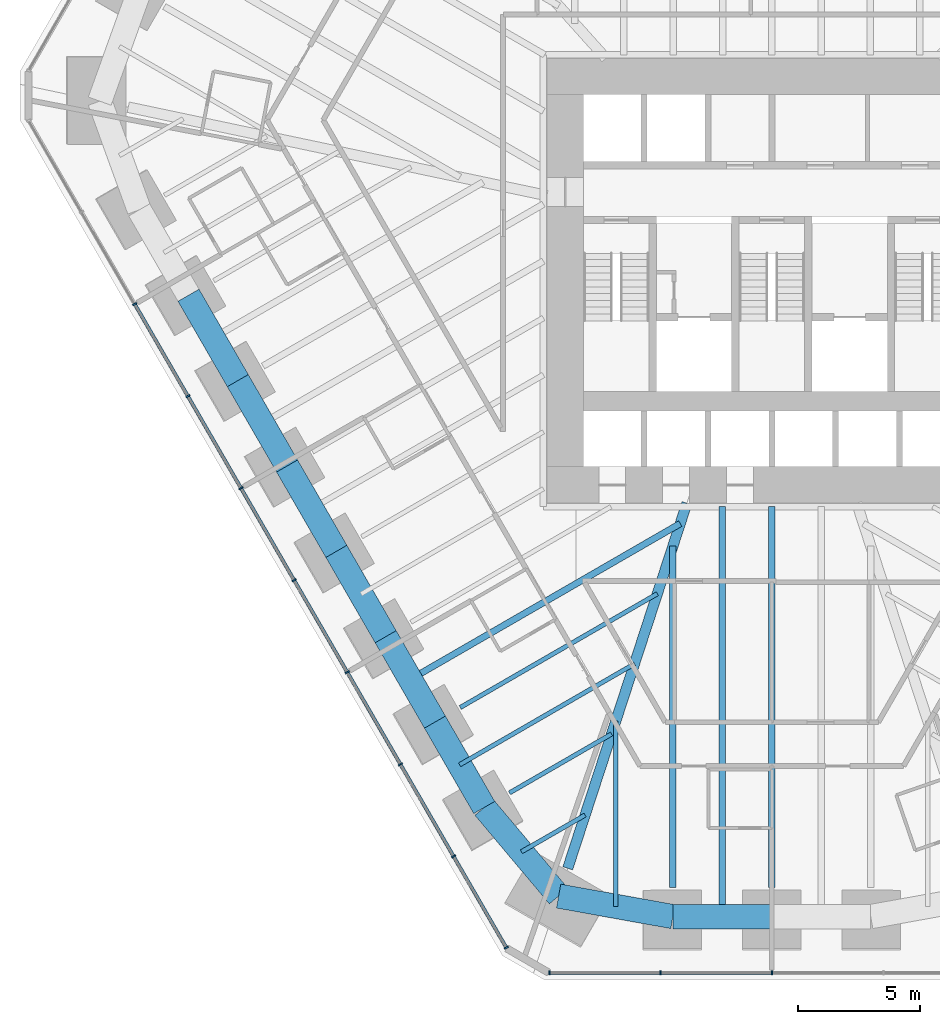
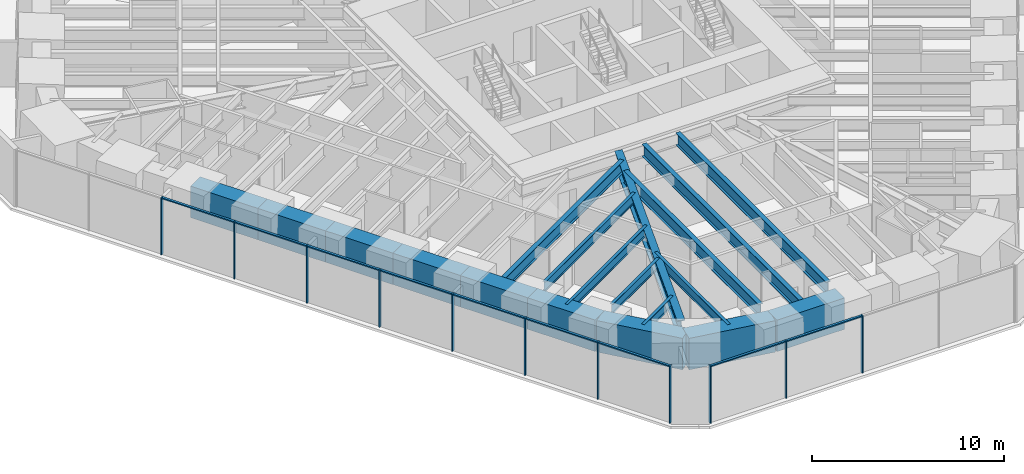
# One storey, part 2 of 17: 20 members, 19 beams, 2 elements without a shape of their own.
"""IFC4 building model written with IfcOpenShell, lengths in metres."""

from ifc_helpers import new_model, si_unit, direction, frame, origin, origin_2d, place, context, subcontext, project, spatial, rectangle, i_section, extrude, material, material_profile, profile_set, type_object, element, aggregate, save


model = new_model("IFC4")

# Units and contexts
model_context = context("Model", 3, precision=1e-05, world=origin(), true_north=direction((0.0, 1.0)))
body_context = subcontext(model_context, "Body", "Model", "MODEL_VIEW")
ifc_project = project(units=[si_unit("LENGTHUNIT", "METRE"), si_unit("AREAUNIT", "SQUARE_METRE"), si_unit("VOLUMEUNIT", "CUBIC_METRE"), si_unit("PLANEANGLEUNIT", "RADIAN"), si_unit("MASSUNIT", "GRAM", prefix="KILO")], contexts=[model_context])

# Site, building, storey
site_placement = place(None, origin())
site = spatial("IfcSite", under=ifc_project, at=site_placement, CompositionType="ELEMENT")
building_placement = place(site_placement, origin())
building = spatial("IfcBuilding", under=site, at=building_placement, Name="Sandreach Pilgrim Tower", CompositionType="ELEMENT")
storey_placement = place(building_placement, frame((0.0, 0.0, 76.199951171875)))
storey = spatial("IfcBuildingStorey", under=building, at=storey_placement, Name="L18", CompositionType="ELEMENT", Elevation=76.199951171875)

# Curtain wall, members
ifc_material_1 = material(Name="Aluminium framed curtain wall", Category="aluminium")
curtain_wall_type = type_object("IfcCurtainWallType", Name="Hostel tower curtain wall", PredefinedType="NOTDEFINED", material=ifc_material_1)
curtain_wall_1_placement = place(storey_placement, origin())
curtain_wall_1 = element("IfcCurtainWall", 1, at=curtain_wall_1_placement, inside=storey, type_object=curtain_wall_type, Name="CW-1 L18 S", PredefinedType="NOTDEFINED")
ifc_material_2 = material(Name="Aluminium extrusion", Category="aluminium")
ifc_material_profile_1 = material_profile(ifc_material_2, rectangle(XDim=0.06494140625, YDim=0.179931640625, at=origin_2d()), Name="CW-1M 65X180")
ifc_profile_set_1 = profile_set([ifc_material_profile_1], Name="Aluminium extrusion")
member_type_1 = type_object("IfcMemberType", Name="CW-1 mullion", PredefinedType="MULLION", material=ifc_profile_set_1)
member_1_placement = place(storey_placement, frame((0.0, -30.010986328125, 0.0), z_axis=(0.0, 0.0, 1.0), x_axis=(-1.0, 0.0, 0.0)))
member_1 = element("IfcMember", 2, at=member_1_placement, type_object=member_type_1, Name="CW-1 mullion 3", PredefinedType="MULLION", context=body_context, shape_type="SweptSolid", body=[
    extrude(rectangle(XDim=0.06494140625, YDim=0.179931640625, at=origin_2d()), origin(), (0.0, 0.0, 1.0), 3.64013671875),
])
member_2_placement = place(storey_placement, frame((-4.5859375, -30.010986328125, 0.0), z_axis=(0.0, 0.0, 1.0), x_axis=(-1.0, 0.0, 0.0)))
member_2 = element("IfcMember", 3, at=member_2_placement, type_object=member_type_1, Name="CW-1 mullion 4", PredefinedType="MULLION", context=body_context, shape_type="SweptSolid", body=[
    extrude(rectangle(XDim=0.06494140625, YDim=0.179931640625, at=origin_2d()), origin(), (0.0, 0.0, 1.0), 3.64013671875),
])
member_3_placement = place(storey_placement, frame((-9.1396484375, -30.010986328125, 0.0), z_axis=(0.0, 0.0, 1.0), x_axis=(-1.0, 0.0, 0.0)))
member_3 = element("IfcMember", 4, at=member_3_placement, type_object=member_type_1, Name="CW-1 mullion 5", PredefinedType="MULLION", context=body_context, shape_type="SweptSolid", body=[
    extrude(rectangle(XDim=0.06494140625, YDim=0.179931640625, at=origin_2d()), origin(), (0.0, 0.0, 1.0), 3.64013671875),
])

curtain_wall_2_placement = place(storey_placement, origin())
curtain_wall_2 = element("IfcCurtainWall", 5, at=curtain_wall_2_placement, inside=storey, type_object=curtain_wall_type, Name="CW-1 L18 SW", PredefinedType="NOTDEFINED")
member_4_placement = place(storey_placement, frame((-10.92041015625, -28.982666015625, 0.0), z_axis=(0.0, 0.0, 1.0), x_axis=(-0.5, 0.866025403784, 0.0)))
member_4 = element("IfcMember", 6, at=member_4_placement, type_object=member_type_1, Name="CW-1 mullion 1", PredefinedType="MULLION", context=body_context, shape_type="SweptSolid", body=[
    extrude(rectangle(XDim=0.06494140625, YDim=0.179931640625, at=origin_2d()), origin(), (0.0, 0.0, 1.0), 3.64013671875),
])
member_5_placement = place(storey_placement, frame((-13.08984375, -25.22509765625, 0.0), z_axis=(0.0, 0.0, 1.0), x_axis=(-0.5, 0.866025403784, 0.0)))
member_5 = element("IfcMember", 7, at=member_5_placement, type_object=member_type_1, Name="CW-1 mullion 2", PredefinedType="MULLION", context=body_context, shape_type="SweptSolid", body=[
    extrude(rectangle(XDim=0.06494140625, YDim=0.179931640625, at=origin_2d()), origin(), (0.0, 0.0, 1.0), 3.64013671875),
])
member_6_placement = place(storey_placement, frame((-15.275634765625, -21.439208984375, 0.0), z_axis=(0.0, 0.0, 1.0), x_axis=(-0.5, 0.866025403784, 0.0)))
member_6 = element("IfcMember", 8, at=member_6_placement, type_object=member_type_1, Name="CW-1 mullion 3", PredefinedType="MULLION", context=body_context, shape_type="SweptSolid", body=[
    extrude(rectangle(XDim=0.06494140625, YDim=0.179931640625, at=origin_2d()), origin(), (0.0, 0.0, 1.0), 3.64013671875),
])
member_7_placement = place(storey_placement, frame((-17.46142578125, -17.6533203125, 0.0), z_axis=(0.0, 0.0, 1.0), x_axis=(-0.5, 0.866025403784, 0.0)))
member_7 = element("IfcMember", 9, at=member_7_placement, type_object=member_type_1, Name="CW-1 mullion 4", PredefinedType="MULLION", context=body_context, shape_type="SweptSolid", body=[
    extrude(rectangle(XDim=0.06494140625, YDim=0.179931640625, at=origin_2d()), origin(), (0.0, 0.0, 1.0), 3.64013671875),
])
member_8_placement = place(storey_placement, frame((-19.647216796875, -13.8671875, 0.0), z_axis=(0.0, 0.0, 1.0), x_axis=(-0.5, 0.866025403784, 0.0)))
member_8 = element("IfcMember", 10, at=member_8_placement, type_object=member_type_1, Name="CW-1 mullion 5", PredefinedType="MULLION", context=body_context, shape_type="SweptSolid", body=[
    extrude(rectangle(XDim=0.06494140625, YDim=0.179931640625, at=origin_2d()), origin(), (0.0, 0.0, 1.0), 3.64013671875),
])
member_9_placement = place(storey_placement, frame((-21.8330078125, -10.081298828125, 0.0), z_axis=(0.0, 0.0, 1.0), x_axis=(-0.5, 0.866025403784, 0.0)))
member_9 = element("IfcMember", 11, at=member_9_placement, type_object=member_type_1, Name="CW-1 mullion 6", PredefinedType="MULLION", context=body_context, shape_type="SweptSolid", body=[
    extrude(rectangle(XDim=0.06494140625, YDim=0.179931640625, at=origin_2d()), origin(), (0.0, 0.0, 1.0), 3.64013671875),
])
member_10_placement = place(storey_placement, frame((-24.018798828125, -6.29541015625, 0.0), z_axis=(0.0, 0.0, 1.0), x_axis=(-0.5, 0.866025403784, 0.0)))
member_10 = element("IfcMember", 12, at=member_10_placement, type_object=member_type_1, Name="CW-1 mullion 7", PredefinedType="MULLION", context=body_context, shape_type="SweptSolid", body=[
    extrude(rectangle(XDim=0.06494140625, YDim=0.179931640625, at=origin_2d()), origin(), (0.0, 0.0, 1.0), 3.64013671875),
])
member_11_placement = place(storey_placement, frame((-26.20458984375, -2.509521484375, 0.0), z_axis=(0.0, 0.0, 1.0), x_axis=(-0.5, 0.866025403784, 0.0)))
member_11 = element("IfcMember", 13, at=member_11_placement, type_object=member_type_1, Name="CW-1 mullion 8", PredefinedType="MULLION", context=body_context, shape_type="SweptSolid", body=[
    extrude(rectangle(XDim=0.06494140625, YDim=0.179931640625, at=origin_2d()), origin(), (0.0, 0.0, 1.0), 3.64013671875),
])

# Member
ifc_material_3 = material(Name="Aluminium extrusion", Category="aluminium")
ifc_material_profile_2 = material_profile(ifc_material_3, rectangle(XDim=0.139892578125, YDim=0.070068359375, at=origin_2d()), Name="CW-1T 140X70")
ifc_profile_set_2 = profile_set([ifc_material_profile_2], Name="Aluminium extrusion")
member_type_2 = type_object("IfcMemberType", Name="CW-1 transom", PredefinedType="USERDEFINED", material=ifc_profile_set_2)
member_12_placement = place(storey_placement, frame((-0.032470703125, -30.010986328125, 3.60498046875), z_axis=(-1.0, 0.0, 0.0), x_axis=(0.0, -1.0, 0.0)))
member_12 = element("IfcMember", 14, at=member_12_placement, type_object=member_type_2, Name="CW-1 head transom 3", ObjectType="TRANSOM", PredefinedType="USERDEFINED", context=body_context, shape_type="SweptSolid", body=[
    extrude(rectangle(XDim=0.139892578125, YDim=0.070068359375, at=origin_2d()), origin(), (0.0, 0.0, 1.0), 4.52099609375),
])

member_13_placement = place(storey_placement, frame((-4.61865234375, -30.010986328125, 3.60498046875), z_axis=(-1.0, 0.0, 0.0), x_axis=(0.0, -1.0, 0.0)))
member_13 = element("IfcMember", 15, at=member_13_placement, type_object=member_type_2, Name="CW-1 head transom 4", ObjectType="TRANSOM", PredefinedType="USERDEFINED", context=body_context, shape_type="SweptSolid", body=[
    extrude(rectangle(XDim=0.139892578125, YDim=0.070068359375, at=origin_2d()), origin(), (0.0, 0.0, 1.0), 4.488525390625),
])

aggregate(curtain_wall_1, [member_1, member_2, member_3, member_12, member_13])

member_14_placement = place(storey_placement, frame((-10.9365234375, -28.95458984375, 3.60498046875), z_axis=(-0.500033953635, 0.866005799756, 0.0), x_axis=(-0.866005799756, -0.500033953635, 0.0)))
member_14 = element("IfcMember", 16, at=member_14_placement, type_object=member_type_2, Name="CW-1 head transom 1", ObjectType="TRANSOM", PredefinedType="USERDEFINED", context=body_context, shape_type="SweptSolid", body=[
    extrude(rectangle(XDim=0.139892578125, YDim=0.070068359375, at=origin_2d()), origin(), (0.0, 0.0, 1.0), 4.274169921875),
])

member_15_placement = place(storey_placement, frame((-13.106201171875, -25.19677734375, 3.60498046875), z_axis=(-0.500016891966, 0.866015650984, 0.0), x_axis=(-0.866015650984, -0.500016891966, 0.0)))
member_15 = element("IfcMember", 17, at=member_15_placement, type_object=member_type_2, Name="CW-1 head transom 2", ObjectType="TRANSOM", PredefinedType="USERDEFINED", context=body_context, shape_type="SweptSolid", body=[
    extrude(rectangle(XDim=0.139892578125, YDim=0.070068359375, at=origin_2d()), origin(), (0.0, 0.0, 1.0), 4.306396484375),
])

member_16_placement = place(storey_placement, frame((-15.2919921875, -21.410888671875, 3.60498046875), z_axis=(-0.500016891966, 0.866015650984, 0.0), x_axis=(-0.866015650984, -0.500016891966, 0.0)))
member_16 = element("IfcMember", 18, at=member_16_placement, type_object=member_type_2, Name="CW-1 head transom 3", ObjectType="TRANSOM", PredefinedType="USERDEFINED", context=body_context, shape_type="SweptSolid", body=[
    extrude(rectangle(XDim=0.139892578125, YDim=0.070068359375, at=origin_2d()), origin(), (0.0, 0.0, 1.0), 4.306396484375),
])

member_17_placement = place(storey_placement, frame((-17.477783203125, -17.625, 3.60498046875), z_axis=(-0.500016891966, 0.866015650984, 0.0), x_axis=(-0.866015650984, -0.500016891966, 0.0)))
member_17 = element("IfcMember", 19, at=member_17_placement, type_object=member_type_2, Name="CW-1 head transom 4", ObjectType="TRANSOM", PredefinedType="USERDEFINED", context=body_context, shape_type="SweptSolid", body=[
    extrude(rectangle(XDim=0.139892578125, YDim=0.070068359375, at=origin_2d()), origin(), (0.0, 0.0, 1.0), 4.306396484375),
])

member_18_placement = place(storey_placement, frame((-19.66357421875, -13.839111328125, 3.60498046875), z_axis=(-0.500016891966, 0.866015650984, 0.0), x_axis=(-0.866015650984, -0.500016891966, 0.0)))
member_18 = element("IfcMember", 20, at=member_18_placement, type_object=member_type_2, Name="CW-1 head transom 5", ObjectType="TRANSOM", PredefinedType="USERDEFINED", context=body_context, shape_type="SweptSolid", body=[
    extrude(rectangle(XDim=0.139892578125, YDim=0.070068359375, at=origin_2d()), origin(), (0.0, 0.0, 1.0), 4.306396484375),
])

member_19_placement = place(storey_placement, frame((-21.849365234375, -10.05322265625, 3.60498046875), z_axis=(-0.500016891966, 0.866015650984, 0.0), x_axis=(-0.866015650984, -0.500016891966, 0.0)))
member_19 = element("IfcMember", 21, at=member_19_placement, type_object=member_type_2, Name="CW-1 head transom 6", ObjectType="TRANSOM", PredefinedType="USERDEFINED", context=body_context, shape_type="SweptSolid", body=[
    extrude(rectangle(XDim=0.139892578125, YDim=0.070068359375, at=origin_2d()), origin(), (0.0, 0.0, 1.0), 4.306396484375),
])

member_20_placement = place(storey_placement, frame((-24.03515625, -6.267333984375, 3.60498046875), z_axis=(-0.500016891966, 0.866015650984, 0.0), x_axis=(-0.866015650984, -0.500016891966, 0.0)))
member_20 = element("IfcMember", 22, at=member_20_placement, type_object=member_type_2, Name="CW-1 head transom 7", ObjectType="TRANSOM", PredefinedType="USERDEFINED", context=body_context, shape_type="SweptSolid", body=[
    extrude(rectangle(XDim=0.139892578125, YDim=0.070068359375, at=origin_2d()), origin(), (0.0, 0.0, 1.0), 4.306396484375),
])

aggregate(curtain_wall_2, [member_4, member_5, member_6, member_7, member_8, member_9, member_10, member_11, member_14, member_15, member_16, member_17, member_18, member_19, member_20])

# Beams
ifc_material_4 = material(Name="Steel ASTM A992 Grade 50", Category="steel")
ifc_material_profile_3 = material_profile(ifc_material_4, i_section(OverallWidth=0.424072265625, OverallDepth=0.947509765625, WebThickness=0.02392578125, FlangeThickness=0.042724609375, at=origin_2d()), Name="W36X302")
ifc_profile_set_3 = profile_set([ifc_material_profile_3], Name="Steel ASTM A992 Grade 50")
beam_type_1 = type_object("IfcBeamType", Name="Corner girder W36X302", PredefinedType="BEAM", material=ifc_profile_set_3)
beam_1_placement = place(storey_placement, frame((-8.395263671875, -25.71826171875, 3.166259765625), z_axis=(0.310324547383, 0.950630672391, 0.0), x_axis=(-0.950630672391, 0.310324547383, 0.0)))
element("IfcBeam", 23, at=beam_1_placement, inside=storey, type_object=beam_type_1, Name="BM L18 CG26", PredefinedType="BEAM", context=body_context, shape_type="SweptSolid", body=[
    extrude(i_section(OverallWidth=0.424072265625, OverallDepth=0.947509765625, WebThickness=0.02392578125, FlangeThickness=0.042724609375, at=origin_2d()), origin(), (0.0, 0.0, 1.0), 15.79833984375),
])
ifc_material_5 = material(Name="Steel ASTM A992 Grade 50", Category="steel")
ifc_material_profile_4 = material_profile(ifc_material_5, i_section(OverallWidth=0.1787109375, OverallDepth=0.60205078125, WebThickness=0.010986328125, FlangeThickness=0.014892578125, at=origin_2d()), Name="W24X62")
ifc_profile_set_4 = profile_set([ifc_material_profile_4], Name="Steel ASTM A992 Grade 50")
beam_type_2 = type_object("IfcBeamType", Name="Floor beam W24X62", PredefinedType="BEAM", material=ifc_profile_set_4)
beam_2_placement = place(storey_placement, frame((-10.7890625, -22.614990234375, 3.339111328125), z_axis=(0.866037134122, 0.499979681909, 0.0), x_axis=(-0.499979681909, 0.866037134122, 0.0)))
element("IfcBeam", 24, at=beam_2_placement, inside=storey, type_object=beam_type_2, Name="BM L18 F27", PredefinedType="BEAM", context=body_context, shape_type="SweptSolid", body=[
    extrude(i_section(OverallWidth=0.1787109375, OverallDepth=0.60205078125, WebThickness=0.010986328125, FlangeThickness=0.014892578125, at=origin_2d()), origin(), (0.0, 0.0, 1.0), 4.847412109375),
])
beam_3_placement = place(storey_placement, frame((-12.816162109375, -19.103759765625, 3.339111328125), z_axis=(0.866024919851, 0.500000838196, 0.0), x_axis=(-0.500000838196, 0.866024919851, 0.0)))
element("IfcBeam", 25, at=beam_3_placement, inside=storey, type_object=beam_type_2, Name="BM L18 F28", PredefinedType="BEAM", context=body_context, shape_type="SweptSolid", body=[
    extrude(i_section(OverallWidth=0.1787109375, OverallDepth=0.60205078125, WebThickness=0.010986328125, FlangeThickness=0.014892578125, at=origin_2d()), origin(), (0.0, 0.0, 1.0), 9.36279296875),
])
beam_4_placement = place(storey_placement, frame((-6.41796875, -27.281494140625, 3.339111328125), z_axis=(0.0, 1.0, 0.0), x_axis=(-1.0, 0.0, 0.0)))
element("IfcBeam", 26, at=beam_4_placement, inside=storey, type_object=beam_type_2, Name="BM L18 FM25", PredefinedType="BEAM", context=body_context, shape_type="SweptSolid", body=[
    extrude(i_section(OverallWidth=0.1787109375, OverallDepth=0.60205078125, WebThickness=0.010986328125, FlangeThickness=0.014892578125, at=origin_2d()), origin(), (0.0, 0.0, 1.0), 7.6201171875),
])
beam_5_placement = place(storey_placement, frame((-10.2978515625, -25.037109375, 3.339111328125), z_axis=(0.866013481294, 0.500020649791, 0.0), x_axis=(-0.500020649791, 0.866013481294, 0.0)))
element("IfcBeam", 27, at=beam_5_placement, inside=storey, type_object=beam_type_2, Name="BM L18 FM26", PredefinedType="BEAM", context=body_context, shape_type="SweptSolid", body=[
    extrude(i_section(OverallWidth=0.1787109375, OverallDepth=0.60205078125, WebThickness=0.010986328125, FlangeThickness=0.014892578125, at=origin_2d()), origin(), (0.0, 0.0, 1.0), 3.023681640625),
])
beam_6_placement = place(storey_placement, frame((-12.841796875, -21.45947265625, 3.339111328125), z_axis=(0.86602208059, 0.500005755898, 0.0), x_axis=(-0.500005755898, 0.86602208059, 0.0)))
element("IfcBeam", 28, at=beam_6_placement, inside=storey, type_object=beam_type_2, Name="BM L18 FM27", PredefinedType="BEAM", context=body_context, shape_type="SweptSolid", body=[
    extrude(i_section(OverallWidth=0.1787109375, OverallDepth=0.60205078125, WebThickness=0.010986328125, FlangeThickness=0.014892578125, at=origin_2d()), origin(), (0.0, 0.0, 1.0), 8.30517578125),
])
ifc_material_6 = material(Name="Steel ASTM A992 Grade 50", Category="steel")
ifc_material_profile_5 = material_profile(ifc_material_6, i_section(OverallWidth=0.2666015625, OverallDepth=0.761962890625, WebThickness=0.014404296875, FlangeThickness=0.021484375, at=origin_2d()), Name="W30X116")
ifc_profile_set_5 = profile_set([ifc_material_profile_5], Name="Steel ASTM A992 Grade 50")
beam_type_3 = type_object("IfcBeamType", Name="Floor beam W30X116", PredefinedType="BEAM", material=ifc_profile_set_5)
beam_7_placement = place(storey_placement, frame((-4.068603515625, -26.50390625, 3.259033203125), z_axis=(0.0, 1.0, 0.0), x_axis=(-1.0, 0.0, 0.0)))
element("IfcBeam", 29, at=beam_7_placement, inside=storey, type_object=beam_type_3, Name="BM L18 F25", PredefinedType="BEAM", context=body_context, shape_type="SweptSolid", body=[
    extrude(i_section(OverallWidth=0.2666015625, OverallDepth=0.761962890625, WebThickness=0.014404296875, FlangeThickness=0.021484375, at=origin_2d()), origin(), (0.0, 0.0, 1.0), 14.0400390625),
])
beam_8_placement = place(storey_placement, frame((-14.869140625, -17.947998046875, 3.259033203125), z_axis=(0.866026708223, 0.49999774064, 0.0), x_axis=(-0.49999774064, 0.866026708223, 0.0)))
element("IfcBeam", 30, at=beam_8_placement, inside=storey, type_object=beam_type_3, Name="BM L18 FM28", PredefinedType="BEAM", context=body_context, shape_type="SweptSolid", body=[
    extrude(i_section(OverallWidth=0.2666015625, OverallDepth=0.761962890625, WebThickness=0.014404296875, FlangeThickness=0.021484375, at=origin_2d()), origin(), (0.0, 0.0, 1.0), 12.8203125),
])
ifc_material_7 = material(Name="Steel ASTM A992 Grade 50", Category="steel")
ifc_material_profile_6 = material_profile(ifc_material_7, i_section(OverallWidth=0.2666015625, OverallDepth=0.77978515625, WebThickness=0.0166015625, FlangeThickness=0.030029296875, at=origin_2d()), Name="W30X148")
ifc_profile_set_6 = profile_set([ifc_material_profile_6], Name="Steel ASTM A992 Grade 50")
beam_type_4 = type_object("IfcBeamType", Name="Floor beam W30X148", PredefinedType="BEAM", material=ifc_profile_set_6)
beam_9_placement = place(storey_placement, frame((0.0, -26.50390625, 3.250244140625), z_axis=(0.0, 1.0, 0.0), x_axis=(-1.0, 0.0, 0.0)))
element("IfcBeam", 31, at=beam_9_placement, inside=storey, type_object=beam_type_4, Name="BM L18 F24", PredefinedType="BEAM", context=body_context, shape_type="SweptSolid", body=[
    extrude(i_section(OverallWidth=0.2666015625, OverallDepth=0.77978515625, WebThickness=0.0166015625, FlangeThickness=0.030029296875, at=origin_2d()), origin(), (0.0, 0.0, 1.0), 15.66064453125),
])
beam_10_placement = place(storey_placement, frame((-2.0341796875, -27.703857421875, 3.250244140625), z_axis=(0.0, 1.0, 0.0), x_axis=(-1.0, 0.0, 0.0)))
element("IfcBeam", 32, at=beam_10_placement, inside=storey, type_object=beam_type_4, Name="BM L18 FM24", PredefinedType="BEAM", context=body_context, shape_type="SweptSolid", body=[
    extrude(i_section(OverallWidth=0.2666015625, OverallDepth=0.77978515625, WebThickness=0.0166015625, FlangeThickness=0.030029296875, at=origin_2d()), origin(), (0.0, 0.0, 1.0), 16.860595703125),
])
ifc_material_8 = material(Name="Concrete 10000 psi", Category="concrete")
ifc_material_profile_7 = material_profile(ifc_material_8, rectangle(XDim=1.0, YDim=2.0, at=origin_2d()), Name="RC1000X2000")
ifc_profile_set_7 = profile_set([ifc_material_profile_7], Name="Concrete 10000 psi")
beam_type_5 = type_object("IfcBeamType", Name="Spandrel beam RC1000X2000", PredefinedType="SPANDREL", material=ifc_profile_set_7)
beam_11_placement = place(storey_placement, frame((0.0, -27.703857421875, 2.64013671875), z_axis=(-1.0, 0.0, 0.0), x_axis=(0.0, -1.0, 0.0)))
element("IfcBeam", 33, at=beam_11_placement, inside=storey, type_object=beam_type_5, Name="BM L18 SP24", PredefinedType="SPANDREL", context=body_context, shape_type="SweptSolid", body=[
    extrude(rectangle(XDim=1.0, YDim=2.0, at=origin_2d()), origin(), (0.0, 0.0, 1.0), 4.068603515625),
])
beam_12_placement = place(storey_placement, frame((-4.068603515625, -27.703857421875, 2.64013671875), z_axis=(-0.984223063162, 0.176932082846, 0.0), x_axis=(-0.176932082846, -0.984223063162, 0.0)))
element("IfcBeam", 34, at=beam_12_placement, inside=storey, type_object=beam_type_5, Name="BM L18 SP25", PredefinedType="SPANDREL", context=body_context, shape_type="SweptSolid", body=[
    extrude(rectangle(XDim=1.0, YDim=2.0, at=origin_2d()), origin(), (0.0, 0.0, 1.0), 4.7744140625),
])
beam_13_placement = place(storey_placement, frame((-8.767578125, -26.859130859375, 2.64013671875), z_axis=(-0.643136738905, 0.765751353294, 0.0), x_axis=(-0.765751353294, -0.643136738905, 0.0)))
element("IfcBeam", 35, at=beam_13_placement, inside=storey, type_object=beam_type_5, Name="BM L18 SP26", PredefinedType="SPANDREL", context=body_context, shape_type="SweptSolid", body=[
    extrude(rectangle(XDim=1.0, YDim=2.0, at=origin_2d()), origin(), (0.0, 0.0, 1.0), 4.7587890625),
])
beam_14_placement = place(storey_placement, frame((-11.828125, -23.215087890625, 2.64013671875), z_axis=(-0.499998693927, 0.866026157845, 0.0), x_axis=(-0.866026157845, -0.499998693927, 0.0)))
element("IfcBeam", 36, at=beam_14_placement, inside=storey, type_object=beam_type_5, Name="BM L18 SP27", PredefinedType="SPANDREL", context=body_context, shape_type="SweptSolid", body=[
    extrude(rectangle(XDim=1.0, YDim=2.0, at=origin_2d()), origin(), (0.0, 0.0, 1.0), 4.0546875),
])
for number, where, z_axis, x_axis, name in (
    (37, (-13.85546875, -19.70361328125, 2.64013671875), (-0.499979605739, 0.866037178096, 0.0), (-0.866037178096, -0.499979605739, 0.0), "BM L18 SP28"),
    (38, (-15.882568359375, -16.1923828125, 2.64013671875), (-0.500024767483, 0.866011103799, 0.0), (-0.866011103799, -0.500024767483, 0.0), "BM L18 SP29"),
    (39, (-17.909912109375, -12.68115234375, 2.64013671875), (-0.500024767483, 0.866011103799, 0.0), (-0.866011103799, -0.500024767483, 0.0), "BM L18 SP30"),
    (40, (-19.937255859375, -9.169921875, 2.64013671875), (-0.499979605739, 0.866037178096, 0.0), (-0.866037178096, -0.499979605739, 0.0), "BM L18 SP31"),
):
    element("IfcBeam", number, at=place(storey_placement, frame(where, z_axis=z_axis, x_axis=x_axis)), inside=storey, type_object=beam_type_5, Name=name, PredefinedType="SPANDREL", context=body_context, shape_type="SweptSolid", body=[
        extrude(rectangle(XDim=1.0, YDim=2.0, at=origin_2d()), origin(), (0.0, 0.0, 1.0), 4.054443359375),
    ])
beam_15_placement = place(storey_placement, frame((-21.96435546875, -5.65869140625, 2.64013671875), z_axis=(-0.499998693927, 0.866026157845, 0.0), x_axis=(-0.866026157845, -0.499998693927, 0.0)))
element("IfcBeam", 41, at=beam_15_placement, inside=storey, type_object=beam_type_5, Name="BM L18 SP32", PredefinedType="SPANDREL", context=body_context, shape_type="SweptSolid", body=[
    extrude(rectangle(XDim=1.0, YDim=2.0, at=origin_2d()), origin(), (0.0, 0.0, 1.0), 4.0546875),
])

save(model, "model.ifc")
